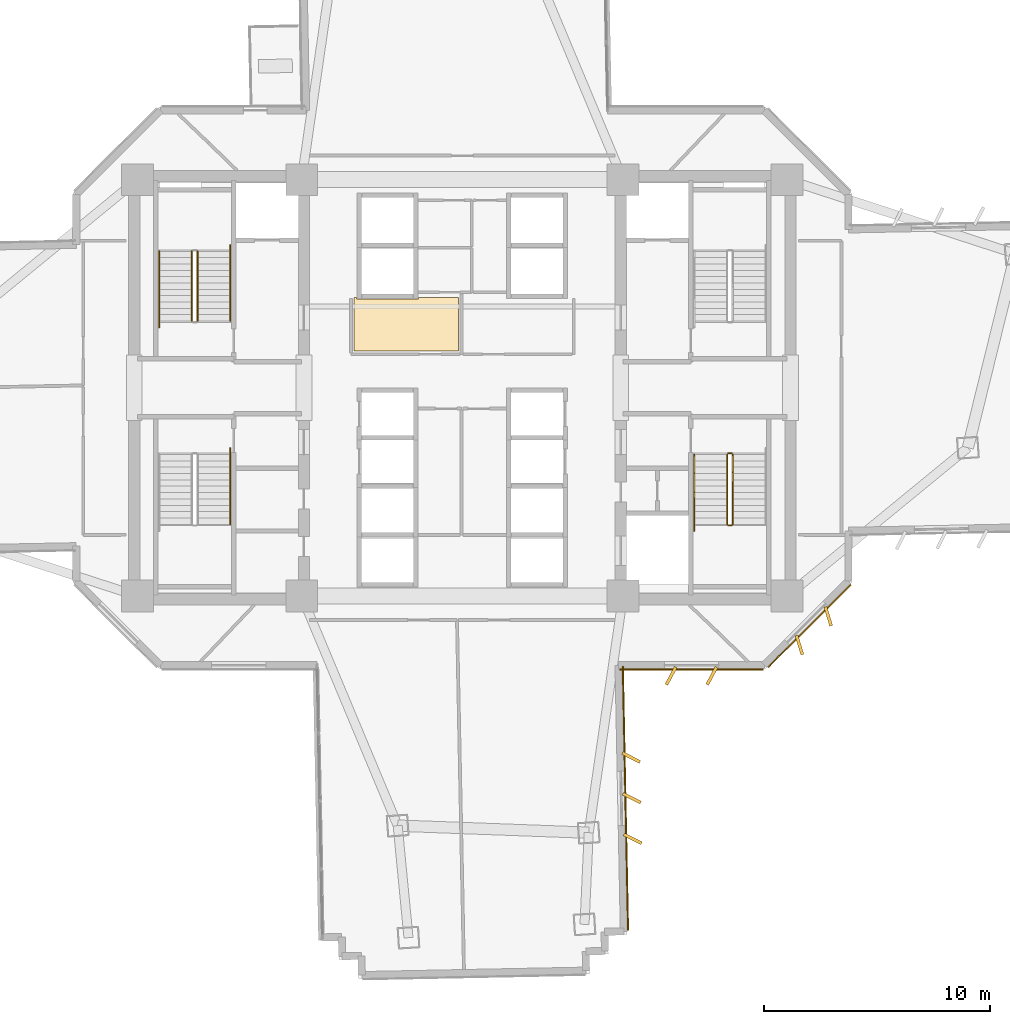
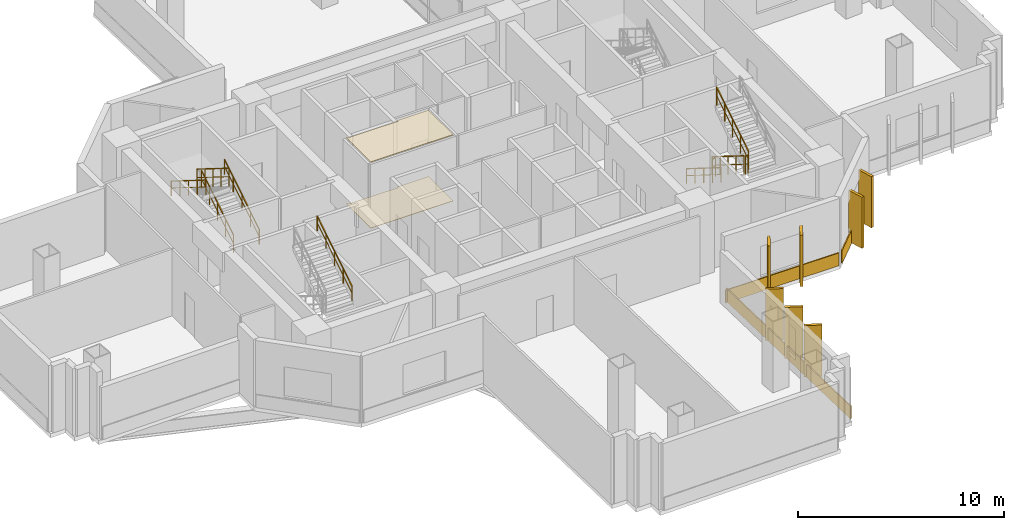
# One storey, part 12 of 15: 12 coverings, 10 railings.
"""IFC4 building model written with IfcOpenShell, lengths in metres."""

import ifcopenshell
import ifcopenshell.guid

model = None  # the IFC model being written
_history = None  # IfcOwnerHistory: only IFC2X3 demands one
_inside = {}  # id of a spatial element -> (the spatial element, [elements in it])
_under = {}  # id of a project, library or spatial element -> (it, [spatial elements below it])
_declared = {}  # id of a project -> (the project, [libraries it declares])
_typed = {}  # id of a type object -> (the type object, [elements of that type])
_made_of = {}  # id of a material, layer set ... -> (it, [elements and type objects made of it])


def new_model(schema):
    """Start an empty IFC model of exactly this schema.

    Asked for "IFC4X3", IfcOpenShell would pick the latest addendum, in which some entities
    have other attributes; the version numbers below select the first issue.
    IFC2X3 requires an IfcOwnerHistory on every rooted entity: one is made here for all.
    """
    global model, _history
    if schema == "IFC4X3":
        model = ifcopenshell.file(schema_version=(4, 3, 0, 0))
    else:
        model = ifcopenshell.file(schema=schema)
    _inside.clear()
    _under.clear()
    _declared.clear()
    _typed.clear()
    _made_of.clear()
    _history = None
    if model.schema == "IFC2X3":
        org = make("IfcOrganization", Name="unknown")
        user = make(
            "IfcPersonAndOrganization",
            ThePerson=make("IfcPerson", FamilyName="unknown"),
            TheOrganization=org,
        )
        app = make(
            "IfcApplication",
            ApplicationDeveloper=org,
            Version="unknown",
            ApplicationFullName="unknown",
            ApplicationIdentifier="unknown",
        )
        _history = make(
            "IfcOwnerHistory",
            OwningUser=user,
            OwningApplication=app,
            ChangeAction="ADDED",
            CreationDate=0,
        )
    return model


def make(cls, **values):
    """One entity of the class cls with the attributes given. An attribute that is None is left unset."""
    return model.create_entity(
        cls, **{name: value for name, value in values.items() if value is not None}
    )


def rooted(cls, **values):
    """An entity with a GlobalId (a new one), such as an element, a storey or a relation."""
    return make(cls, GlobalId=ifcopenshell.guid.new(), OwnerHistory=_history, **values)


def si_unit(unit_type, name, prefix=None):
    """IfcSIUnit, for example si_unit("LENGTHUNIT", "METRE", prefix="MILLI")."""
    return make("IfcSIUnit", UnitType=unit_type, Prefix=prefix, Name=name)


def assignment(units):
    """IfcUnitAssignment: the units of a project."""
    return None if units is None else make("IfcUnitAssignment", Units=units)


def point(xyz):
    """IfcCartesianPoint."""
    return None if xyz is None else make("IfcCartesianPoint", Coordinates=xyz)


def direction(xyz):
    """IfcDirection."""
    return None if xyz is None else make("IfcDirection", DirectionRatios=xyz)


def frame(location, z_axis=None, x_axis=None):
    """IfcAxis2Placement3D, a coordinate frame: its origin and axes. An axis left out is left unset."""
    return make(
        "IfcAxis2Placement3D",
        Location=point(location),
        Axis=direction(z_axis),
        RefDirection=direction(x_axis),
    )


def frame_2d(location, x_axis=None):
    """IfcAxis2Placement2D, a coordinate frame in the plane: its origin and x axis."""
    return make(
        "IfcAxis2Placement2D", Location=point(location), RefDirection=direction(x_axis)
    )


def origin():
    """The frame at (0, 0, 0) with its axes left unset."""
    return frame((0.0, 0.0, 0.0))


def origin_2d():
    """The frame at (0, 0) in the plane with its x axis left unset."""
    return frame_2d((0.0, 0.0))


def place(relative_to, where):
    """IfcLocalPlacement: puts the frame where relative to a parent placement (None: the world)."""
    return make(
        "IfcLocalPlacement", PlacementRelTo=relative_to, RelativePlacement=where
    )


def context(
    kind, dimensions, precision=None, world=None, true_north=None, identifier=None
):
    """IfcGeometricRepresentationContext, for example the 3D "Model" context."""
    return make(
        "IfcGeometricRepresentationContext",
        ContextIdentifier=identifier,
        ContextType=kind,
        CoordinateSpaceDimension=dimensions,
        Precision=precision,
        WorldCoordinateSystem=world,
        TrueNorth=true_north,
    )


def subcontext(parent, identifier, kind, view, scale=None):
    """IfcGeometricRepresentationSubContext, for example "Body" below "Model"."""
    return make(
        "IfcGeometricRepresentationSubContext",
        ContextIdentifier=identifier,
        ContextType=kind,
        ParentContext=parent,
        TargetScale=scale,
        TargetView=view,
    )


def project(units=None, contexts=None):
    """IfcProject with its units and contexts."""
    return rooted(
        "IfcProject",
        Name="project",
        RepresentationContexts=contexts,
        UnitsInContext=assignment(units),
    )


def spatial(cls, under=None, at=None, **own):
    """A site, building, storey or space (cls), placed at a placement, below another one or the project."""
    s = rooted(cls, ObjectPlacement=at, **own)
    if under is not None:
        _under.setdefault(under.id(), (under, []))[1].append(s)
    return s


def polyline(points):
    """IfcPolyline through the points."""
    return make("IfcPolyline", Points=[point(p) for p in points])


def profile(cls, at=None, kind="AREA", **sizes):
    """A parametric profile (cls). Its sizes go by their IFC names, for example OverallWidth=200.0."""
    return make(cls, ProfileType=kind, Position=at, **sizes)


def rectangle(**sizes):
    """IfcRectangleProfileDef."""
    return profile("IfcRectangleProfileDef", **sizes)


def outline(outer, holes=None, kind="AREA"):
    """IfcArbitraryClosedProfileDef: a profile drawn as a closed curve; with holes, ...WithVoids."""
    if holes is None:
        return make("IfcArbitraryClosedProfileDef", ProfileType=kind, OuterCurve=outer)
    return make(
        "IfcArbitraryProfileDefWithVoids",
        ProfileType=kind,
        OuterCurve=outer,
        InnerCurves=holes,
    )


def extrude(swept, where, along, depth):
    """IfcExtrudedAreaSolid: the profile swept, set in the frame where, extruded along a direction by depth."""
    return make(
        "IfcExtrudedAreaSolid",
        SweptArea=swept,
        Position=where,
        ExtrudedDirection=direction(along),
        Depth=depth,
    )


def shape(context_of_items, identifier, shape_type, items):
    """IfcShapeRepresentation: the items that make up one representation, for example the "Body"."""
    return make(
        "IfcShapeRepresentation",
        ContextOfItems=context_of_items,
        RepresentationIdentifier=identifier,
        RepresentationType=shape_type,
        Items=items,
    )


def source(mapping_origin, context_of_items, identifier, shape_type, items):
    """IfcRepresentationMap: a shape defined once, which mapped items show again and again."""
    return make(
        "IfcRepresentationMap",
        MappingOrigin=mapping_origin,
        MappedRepresentation=shape(context_of_items, identifier, shape_type, items),
    )


def transform(
    local_origin,
    x_axis=None,
    y_axis=None,
    z_axis=None,
    scale=None,
    scale2=None,
    scale3=None,
    uniform=True,
):
    """IfcCartesianTransformationOperator3D, or its non-uniform kind. x_axis, y_axis, z_axis: its Axis1, 2, 3."""
    if uniform:
        return make(
            "IfcCartesianTransformationOperator3D",
            Axis1=direction(x_axis),
            Axis2=direction(y_axis),
            LocalOrigin=point(local_origin),
            Scale=scale,
            Axis3=direction(z_axis),
        )
    return make(
        "IfcCartesianTransformationOperator3DnonUniform",
        Axis1=direction(x_axis),
        Axis2=direction(y_axis),
        LocalOrigin=point(local_origin),
        Scale=scale,
        Axis3=direction(z_axis),
        Scale2=scale2,
        Scale3=scale3,
    )


def mapped(mapping_source, mapping_target):
    """IfcMappedItem: shows the shape of a source again, moved by a transform."""
    return make(
        "IfcMappedItem", MappingSource=mapping_source, MappingTarget=mapping_target
    )


def material(Name=None, Category=None):
    """IfcMaterial."""
    return make("IfcMaterial", Name=Name, Category=Category)


def layer(
    of_material, thickness, ventilated=None, Name=None, Category=None, Priority=None
):
    """IfcMaterialLayer: one layer of a wall or slab, of a material (None: an air gap)."""
    return make(
        "IfcMaterialLayer",
        Material=of_material,
        LayerThickness=thickness,
        IsVentilated=ventilated,
        Name=Name,
        Category=Category,
        Priority=Priority,
    )


def layer_set(layers, Name=None):
    """IfcMaterialLayerSet."""
    return make("IfcMaterialLayerSet", MaterialLayers=layers, LayerSetName=Name)


def made_of(thing, what):
    """Note that an element or type object is made of a material, layer set ...; save() writes the relation."""
    if what is not None:
        _made_of.setdefault(what.id(), (what, []))[1].append(thing)
    return thing


def type_object(cls, material=None, **own):
    """A type object (cls), such as IfcWallType, which elements share."""
    return made_of(rooted(cls, **own), material)


def element(
    cls,
    number,
    at=None,
    inside=None,
    cuts=None,
    type_object=None,
    material=None,
    context=None,
    identifier="Body",
    shape_type=None,
    held_by="IfcProductDefinitionShape",
    body=None,
    shapes=None,
    **own,
):
    """One element of the class cls, such as IfcWall. Its Tag is "e" and its number.

    at: its placement. inside: the storey or other place that contains it. cuts: it is an
    opening in that element (IfcRelVoidsElement). A single representation is given by context,
    identifier, shape_type and body (its items); several are given by shapes. held_by: the class
    of the entity that holds the representations. save() writes the other relations.
    """
    e = rooted(cls, Tag="e%d" % number, ObjectPlacement=at, **own)
    if body is not None:
        shapes = [shape(context, identifier, shape_type, body)]
    if shapes is not None:
        e.Representation = make(held_by, Representations=shapes)
    if inside is not None:
        _inside.setdefault(inside.id(), (inside, []))[1].append(e)
    if cuts is not None:
        rooted(
            "IfcRelVoidsElement", RelatingBuildingElement=cuts, RelatedOpeningElement=e
        )
    if type_object is not None:
        _typed.setdefault(type_object.id(), (type_object, []))[1].append(e)
    return made_of(e, material)


def aggregate(whole, parts):
    """IfcRelAggregates: a whole, such as a stair, and the parts it consists of."""
    return rooted("IfcRelAggregates", RelatingObject=whole, RelatedObjects=parts)


def save(model, path):
    """Write the relations noted so far, then the file.

    IfcRelAggregates (storeys below a building ...), IfcRelContainedInSpatialStructure (elements
    in a storey), IfcRelDefinesByType, IfcRelAssociatesMaterial and IfcRelDeclares: one each for
    every whole, place, type object, material and project.
    """
    for whole, parts in _under.values():
        aggregate(whole, parts)
    for where, things in _inside.values():
        rooted(
            "IfcRelContainedInSpatialStructure",
            RelatedElements=things,
            RelatingStructure=where,
        )
    for kind, things in _typed.values():
        rooted("IfcRelDefinesByType", RelatedObjects=things, RelatingType=kind)
    for what, things in _made_of.values():
        rooted("IfcRelAssociatesMaterial", RelatedObjects=things, RelatingMaterial=what)
    for by, libraries in _declared.values():
        rooted("IfcRelDeclares", RelatingContext=by, RelatedDefinitions=libraries)
    model.write(path)


model = new_model("IFC4")

# Units and contexts
model_context = context("Model", 3, precision=1e-05, world=origin(), true_north=direction((0.0, 1.0)))
body_context = subcontext(model_context, "Body", "Model", "MODEL_VIEW")
ifc_project = project(units=[si_unit("LENGTHUNIT", "METRE"), si_unit("AREAUNIT", "SQUARE_METRE"), si_unit("VOLUMEUNIT", "CUBIC_METRE"), si_unit("PLANEANGLEUNIT", "RADIAN"), si_unit("MASSUNIT", "GRAM", prefix="KILO")], contexts=[model_context])

# Site, building, storey
site_placement = place(None, origin())
site = spatial("IfcSite", under=ifc_project, at=site_placement, CompositionType="ELEMENT")
building_placement = place(site_placement, origin())
building = spatial("IfcBuilding", under=site, at=building_placement, Name="Zahravan Cultural Tower", CompositionType="ELEMENT")
storey_placement = place(building_placement, frame((0.0, 0.0, 41.699951171875)))
storey = spatial("IfcBuildingStorey", under=building, at=storey_placement, Name="L08", CompositionType="ELEMENT", Elevation=41.699951171875)

# Coverings
ifc_material_1 = material(Name="Acoustic mineral fibreboard")
ifc_layer_1 = layer(ifc_material_1, 0.0400390625)
ifc_layer_set_1 = layer_set([ifc_layer_1], Name="Acoustic mineral fibreboard")
covering_type_1 = type_object("IfcCoveringType", Name="COV-CEIL-AC20", PredefinedType="CEILING", material=ifc_layer_set_1)
covering_1_placement = place(storey_placement, frame((0.0, 0.0, 3.91015625)))
element("IfcCovering", 1, at=covering_1_placement, inside=storey, type_object=covering_type_1, Name="L08 Acoustic Suspended Ceiling", PredefinedType="CEILING", context=body_context, shape_type="SweptSolid", body=[
    extrude(outline(polyline([(31.219970703125, 31.0), (31.219970703125, 28.6201171875), (35.830078125, 28.6201171875), (35.830078125, 31.0), (34.070068359375, 31.0), (34.070068359375, 30.929931640625), (31.330078125, 30.929931640625), (31.330078125, 31.0), (31.219970703125, 31.0)])), origin(), (0.0, 0.0, 1.0), 0.039794921875),
])
ifc_material_2 = material(Name="Terrazzo flooring")
ifc_layer_2 = layer(ifc_material_2, 0.02490234375)
ifc_layer_set_2 = layer_set([ifc_layer_2], Name="Terrazzo flooring")
covering_type_2 = type_object("IfcCoveringType", Name="COV-FLR-TZ25", PredefinedType="FLOORING", material=ifc_layer_set_2)
covering_2_placement = place(storey_placement, origin())
element("IfcCovering", 2, at=covering_2_placement, inside=storey, type_object=covering_type_2, Name="L08 Polished Terrazzo Flooring", PredefinedType="FLOORING", context=body_context, shape_type="SweptSolid", body=[
    extrude(outline(polyline([(31.219970703125, 31.0), (31.219970703125, 28.6201171875), (35.830078125, 28.6201171875), (35.830078125, 31.0), (34.070068359375, 31.0), (34.070068359375, 30.929931640625), (31.330078125, 30.929931640625), (31.330078125, 31.0), (31.219970703125, 31.0)])), origin(), (0.0, 0.0, 1.0), 0.025146484375),
])

# Railings
ifc_material_3 = material(Name="Steel ASTM A572 Grade 50", Category="steel")
railing_type_1 = type_object("IfcRailingType", Name="RL-STAIR-GRD1150", PredefinedType="BALUSTRADE", material=ifc_material_3)
railing_1_placement = place(storey_placement, frame((24.300048828125, 29.949951171875, 0.175048828125)))
element("IfcRailing", 3, at=railing_1_placement, inside=storey, type_object=railing_type_1, Name="L08 ST-W1 stair guard 1", PredefinedType="BALUSTRADE", context=body_context, shape_type="SweptSolid", body=[
    extrude(rectangle(XDim=0.05, YDim=0.05, at=origin_2d()), frame((0.0, 0.0, 1.0751953125), z_axis=(0.0, 0.847998304005, 0.529998940003), x_axis=(-1.0, 0.0, 0.0)), (0.0, 0.0, 1.0), 3.632080078125),
    extrude(rectangle(XDim=0.032, YDim=0.032, at=origin_2d()), frame((0.0, 0.0, 0.572021484375), z_axis=(0.0, 0.847998304005, 0.529998940003), x_axis=(-1.0, 0.0, 0.0)), (0.0, 0.0, 1.0), 3.632080078125),
    extrude(rectangle(XDim=0.04, YDim=0.04, at=origin_2d()), origin(), (0.0, 0.0, 1.0), 1.10009765625),
    extrude(rectangle(XDim=0.04, YDim=0.04, at=origin_2d()), frame((0.0, 0.77001953125, 0.481201171875)), (0.0, 0.0, 1.0), 1.10009765625),
    extrude(rectangle(XDim=0.04, YDim=0.04, at=origin_2d()), frame((0.0, 1.5400390625, 0.96240234375)), (0.0, 0.0, 1.0), 1.10009765625),
    extrude(rectangle(XDim=0.04, YDim=0.04, at=origin_2d()), frame((0.0, 2.31005859375, 1.44384765625)), (0.0, 0.0, 1.0), 1.10009765625),
    extrude(rectangle(XDim=0.04, YDim=0.04, at=origin_2d()), frame((0.0, 3.080078125, 1.925048828125)), (0.0, 0.0, 1.0), 1.10009765625),
])
railing_2_placement = place(storey_placement, frame((24.050048828125, 33.030029296875, 2.275146484375)))
element("IfcRailing", 4, at=railing_2_placement, inside=storey, type_object=railing_type_1, Name="L08 ST-W1 stair guard 3", PredefinedType="BALUSTRADE", context=body_context, shape_type="SweptSolid", body=[
    extrude(rectangle(XDim=0.05, YDim=0.05, at=origin_2d()), frame((0.0, 0.0, 1.0751953125), z_axis=(0.0, -0.848028513186, 0.529950602248), x_axis=(1.0, 0.0, 0.0)), (0.0, 0.0, 1.0), 3.632080078125),
    extrude(rectangle(XDim=0.032, YDim=0.032, at=origin_2d()), frame((0.0, 0.0, 0.572021484375), z_axis=(0.0, -0.848028513186, 0.529950602248), x_axis=(1.0, 0.0, 0.0)), (0.0, 0.0, 1.0), 3.632080078125),
    extrude(rectangle(XDim=0.04, YDim=0.04, at=origin_2d()), origin(), (0.0, 0.0, 1.0), 1.10009765625),
    extrude(rectangle(XDim=0.04, YDim=0.04, at=origin_2d()), frame((0.0, -0.77001953125, 0.481201171875)), (0.0, 0.0, 1.0), 1.10009765625),
    extrude(rectangle(XDim=0.04, YDim=0.04, at=origin_2d()), frame((0.0, -1.5400390625, 0.96240234375)), (0.0, 0.0, 1.0), 1.10009765625),
    extrude(rectangle(XDim=0.04, YDim=0.04, at=origin_2d()), frame((0.0, -2.31005859375, 1.443603515625)), (0.0, 0.0, 1.0), 1.10009765625),
    extrude(rectangle(XDim=0.04, YDim=0.04, at=origin_2d()), frame((0.0, -3.080078125, 1.9248046875)), (0.0, 0.0, 1.0), 1.10009765625),
])
railing_3_placement = place(storey_placement, frame((47.699951171875, 24.050048828125, 0.175048828125)))
element("IfcRailing", 5, at=railing_3_placement, inside=storey, type_object=railing_type_1, Name="L08 ST-E2 stair guard 1", PredefinedType="BALUSTRADE", context=body_context, shape_type="SweptSolid", body=[
    extrude(rectangle(XDim=0.05, YDim=0.05, at=origin_2d()), frame((0.0, 0.0, 1.0751953125), z_axis=(0.0, -0.847998304005, 0.529998940003), x_axis=(1.0, 0.0, 0.0)), (0.0, 0.0, 1.0), 3.632080078125),
    extrude(rectangle(XDim=0.032, YDim=0.032, at=origin_2d()), frame((0.0, 0.0, 0.572021484375), z_axis=(0.0, -0.847998304005, 0.529998940003), x_axis=(1.0, 0.0, 0.0)), (0.0, 0.0, 1.0), 3.632080078125),
    extrude(rectangle(XDim=0.04, YDim=0.04, at=origin_2d()), origin(), (0.0, 0.0, 1.0), 1.10009765625),
    extrude(rectangle(XDim=0.04, YDim=0.04, at=origin_2d()), frame((0.0, -0.77001953125, 0.481201171875)), (0.0, 0.0, 1.0), 1.10009765625),
    extrude(rectangle(XDim=0.04, YDim=0.04, at=origin_2d()), frame((0.0, -1.5400390625, 0.96240234375)), (0.0, 0.0, 1.0), 1.10009765625),
    extrude(rectangle(XDim=0.04, YDim=0.04, at=origin_2d()), frame((0.0, -2.31005859375, 1.44384765625)), (0.0, 0.0, 1.0), 1.10009765625),
    extrude(rectangle(XDim=0.04, YDim=0.04, at=origin_2d()), frame((0.0, -3.080078125, 1.925048828125)), (0.0, 0.0, 1.0), 1.10009765625),
])
railing_4_placement = place(storey_placement, frame((47.75, 20.919921875, 2.10009765625)))
element("IfcRailing", 6, at=railing_4_placement, inside=storey, type_object=railing_type_1, Name="L08 ST-E2 stair guard 2", PredefinedType="BALUSTRADE", context=body_context, shape_type="SweptSolid", body=[
    extrude(rectangle(XDim=0.05, YDim=0.05, at=origin_2d()), frame((0.0, 0.0, 1.0751953125), z_axis=(1.0, 0.0, 0.0), x_axis=(0.0, 1.0, 0.0)), (0.0, 0.0, 1.0), 0.14990234375),
    extrude(rectangle(XDim=0.032, YDim=0.032, at=origin_2d()), frame((0.0, 0.0, 0.572021484375), z_axis=(1.0, 0.0, 0.0), x_axis=(0.0, 1.0, 0.0)), (0.0, 0.0, 1.0), 0.14990234375),
    extrude(rectangle(XDim=0.04, YDim=0.04, at=origin_2d()), origin(), (0.0, 0.0, 1.0), 1.10009765625),
    extrude(rectangle(XDim=0.04, YDim=0.04, at=origin_2d()), frame((0.14990234375, 0.0, 0.0)), (0.0, 0.0, 1.0), 1.10009765625),
])
railing_5_placement = place(storey_placement, frame((47.949951171875, 20.969970703125, 2.275146484375)))
element("IfcRailing", 7, at=railing_5_placement, inside=storey, type_object=railing_type_1, Name="L08 ST-E2 stair guard 3", PredefinedType="BALUSTRADE", context=body_context, shape_type="SweptSolid", body=[
    extrude(rectangle(XDim=0.05, YDim=0.05, at=origin_2d()), frame((0.0, 0.0, 1.0751953125), z_axis=(0.0, 0.848028513186, 0.529950602248), x_axis=(-1.0, 0.0, 0.0)), (0.0, 0.0, 1.0), 3.632080078125),
    extrude(rectangle(XDim=0.032, YDim=0.032, at=origin_2d()), frame((0.0, 0.0, 0.572021484375), z_axis=(0.0, 0.848028513186, 0.529950602248), x_axis=(-1.0, 0.0, 0.0)), (0.0, 0.0, 1.0), 3.632080078125),
    extrude(rectangle(XDim=0.04, YDim=0.04, at=origin_2d()), origin(), (0.0, 0.0, 1.0), 1.10009765625),
    extrude(rectangle(XDim=0.04, YDim=0.04, at=origin_2d()), frame((0.0, 0.77001953125, 0.481201171875)), (0.0, 0.0, 1.0), 1.10009765625),
    extrude(rectangle(XDim=0.04, YDim=0.04, at=origin_2d()), frame((0.0, 1.5400390625, 0.96240234375)), (0.0, 0.0, 1.0), 1.10009765625),
    extrude(rectangle(XDim=0.04, YDim=0.04, at=origin_2d()), frame((0.0, 2.31005859375, 1.443603515625)), (0.0, 0.0, 1.0), 1.10009765625),
    extrude(rectangle(XDim=0.04, YDim=0.04, at=origin_2d()), frame((0.0, 3.080078125, 1.9248046875)), (0.0, 0.0, 1.0), 1.10009765625),
])
railing_6_placement = place(storey_placement, frame((47.75, 24.10009765625, 0.0)))
element("IfcRailing", 8, at=railing_6_placement, inside=storey, type_object=railing_type_1, Name="L08 ST-E2 stair guard 4", PredefinedType="BALUSTRADE", context=body_context, shape_type="SweptSolid", body=[
    extrude(rectangle(XDim=0.05, YDim=0.05, at=origin_2d()), frame((0.0, 0.0, 1.0751953125), z_axis=(1.0, 0.0, 0.0), x_axis=(0.0, 1.0, 0.0)), (0.0, 0.0, 1.0), 0.14990234375),
    extrude(rectangle(XDim=0.032, YDim=0.032, at=origin_2d()), frame((0.0, 0.0, 0.572021484375), z_axis=(1.0, 0.0, 0.0), x_axis=(0.0, 1.0, 0.0)), (0.0, 0.0, 1.0), 0.14990234375),
    extrude(rectangle(XDim=0.04, YDim=0.04, at=origin_2d()), origin(), (0.0, 0.0, 1.0), 1.10009765625),
    extrude(rectangle(XDim=0.04, YDim=0.04, at=origin_2d()), frame((0.14990234375, 0.0, 0.0)), (0.0, 0.0, 1.0), 1.10009765625),
])
railing_type_2 = type_object("IfcRailingType", Name="RL-STAIR-HR900", PredefinedType="HANDRAIL", material=ifc_material_3)
railing_7_placement = place(storey_placement, frame((25.75, 29.949951171875, 0.175048828125)))
element("IfcRailing", 9, at=railing_7_placement, inside=storey, type_object=railing_type_2, Name="L08 ST-W1 stair handrail 1", PredefinedType="HANDRAIL", context=body_context, shape_type="SweptSolid", body=[
    extrude(rectangle(XDim=0.05, YDim=0.05, at=origin_2d()), frame((0.0, 0.0, 0.875), z_axis=(0.0, 0.847994842521, 0.530004478338), x_axis=(-1.0, 0.0, 0.0)), (0.0, 0.0, 1.0), 3.96240234375),
    extrude(rectangle(XDim=0.032, YDim=0.032, at=origin_2d()), frame((0.0, 0.0, 0.468017578125), z_axis=(0.0, 0.847994842521, 0.530004478338), x_axis=(-1.0, 0.0, 0.0)), (0.0, 0.0, 1.0), 3.96240234375),
    extrude(rectangle(XDim=0.04, YDim=0.04, at=origin_2d()), origin(), (0.0, 0.0, 1.0), 0.89990234375),
    extrude(rectangle(XDim=0.04, YDim=0.04, at=origin_2d()), frame((0.0, 0.840087890625, 0.52490234375)), (0.0, 0.0, 1.0), 0.89990234375),
    extrude(rectangle(XDim=0.04, YDim=0.04, at=origin_2d()), frame((0.0, 1.68017578125, 1.050048828125)), (0.0, 0.0, 1.0), 0.89990234375),
    extrude(rectangle(XDim=0.04, YDim=0.04, at=origin_2d()), frame((0.0, 2.52001953125, 1.5751953125)), (0.0, 0.0, 1.0), 0.89990234375),
    extrude(rectangle(XDim=0.04, YDim=0.04, at=origin_2d()), frame((0.0, 3.360107421875, 2.10009765625)), (0.0, 0.0, 1.0), 0.89990234375),
])
railing_8_placement = place(storey_placement, frame((22.60009765625, 33.030029296875, 2.275146484375)))
element("IfcRailing", 10, at=railing_8_placement, inside=storey, type_object=railing_type_2, Name="L08 ST-W1 stair handrail 2", PredefinedType="HANDRAIL", context=body_context, shape_type="SweptSolid", body=[
    extrude(rectangle(XDim=0.05, YDim=0.05, at=origin_2d()), frame((0.0, 0.0, 0.875), z_axis=(0.0, -0.848022534174, 0.529960169762), x_axis=(1.0, 0.0, 0.0)), (0.0, 0.0, 1.0), 3.96240234375),
    extrude(rectangle(XDim=0.032, YDim=0.032, at=origin_2d()), frame((0.0, 0.0, 0.468017578125), z_axis=(0.0, -0.848022534174, 0.529960169762), x_axis=(1.0, 0.0, 0.0)), (0.0, 0.0, 1.0), 3.96240234375),
    extrude(rectangle(XDim=0.04, YDim=0.04, at=origin_2d()), origin(), (0.0, 0.0, 1.0), 0.89990234375),
    extrude(rectangle(XDim=0.04, YDim=0.04, at=origin_2d()), frame((0.0, -0.840087890625, 0.52490234375)), (0.0, 0.0, 1.0), 0.89990234375),
    extrude(rectangle(XDim=0.04, YDim=0.04, at=origin_2d()), frame((0.0, -1.68017578125, 1.0498046875)), (0.0, 0.0, 1.0), 0.89990234375),
    extrude(rectangle(XDim=0.04, YDim=0.04, at=origin_2d()), frame((0.0, -2.52001953125, 1.574951171875)), (0.0, 0.0, 1.0), 0.89990234375),
    extrude(rectangle(XDim=0.04, YDim=0.04, at=origin_2d()), frame((0.0, -3.360107421875, 2.099853515625)), (0.0, 0.0, 1.0), 0.89990234375),
])
railing_9_placement = place(storey_placement, frame((25.75, 20.969970703125, 2.275146484375)))
element("IfcRailing", 11, at=railing_9_placement, inside=storey, type_object=railing_type_2, Name="L08 ST-W2 stair handrail 2", PredefinedType="HANDRAIL", context=body_context, shape_type="SweptSolid", body=[
    extrude(rectangle(XDim=0.05, YDim=0.05, at=origin_2d()), frame((0.0, 0.0, 0.875), z_axis=(0.0, 0.848022534174, 0.529960169762), x_axis=(-1.0, 0.0, 0.0)), (0.0, 0.0, 1.0), 3.96240234375),
    extrude(rectangle(XDim=0.032, YDim=0.032, at=origin_2d()), frame((0.0, 0.0, 0.468017578125), z_axis=(0.0, 0.848022534174, 0.529960169762), x_axis=(-1.0, 0.0, 0.0)), (0.0, 0.0, 1.0), 3.96240234375),
    extrude(rectangle(XDim=0.04, YDim=0.04, at=origin_2d()), origin(), (0.0, 0.0, 1.0), 0.89990234375),
    extrude(rectangle(XDim=0.04, YDim=0.04, at=origin_2d()), frame((0.0, 0.840087890625, 0.52490234375)), (0.0, 0.0, 1.0), 0.89990234375),
    extrude(rectangle(XDim=0.04, YDim=0.04, at=origin_2d()), frame((0.0, 1.68017578125, 1.0498046875)), (0.0, 0.0, 1.0), 0.89990234375),
    extrude(rectangle(XDim=0.04, YDim=0.04, at=origin_2d()), frame((0.0, 2.52001953125, 1.574951171875)), (0.0, 0.0, 1.0), 0.89990234375),
    extrude(rectangle(XDim=0.04, YDim=0.04, at=origin_2d()), frame((0.0, 3.360107421875, 2.099853515625)), (0.0, 0.0, 1.0), 0.89990234375),
])
railing_10_placement = place(storey_placement, frame((46.25, 24.050048828125, 0.175048828125)))
element("IfcRailing", 12, at=railing_10_placement, inside=storey, type_object=railing_type_2, Name="L08 ST-E2 stair handrail 1", PredefinedType="HANDRAIL", context=body_context, shape_type="SweptSolid", body=[
    extrude(rectangle(XDim=0.05, YDim=0.05, at=origin_2d()), frame((0.0, 0.0, 0.875), z_axis=(0.0, -0.847994842521, 0.530004478338), x_axis=(1.0, 0.0, 0.0)), (0.0, 0.0, 1.0), 3.96240234375),
    extrude(rectangle(XDim=0.032, YDim=0.032, at=origin_2d()), frame((0.0, 0.0, 0.468017578125), z_axis=(0.0, -0.847994842521, 0.530004478338), x_axis=(1.0, 0.0, 0.0)), (0.0, 0.0, 1.0), 3.96240234375),
    extrude(rectangle(XDim=0.04, YDim=0.04, at=origin_2d()), origin(), (0.0, 0.0, 1.0), 0.89990234375),
    extrude(rectangle(XDim=0.04, YDim=0.04, at=origin_2d()), frame((0.0, -0.840087890625, 0.52490234375)), (0.0, 0.0, 1.0), 0.89990234375),
    extrude(rectangle(XDim=0.04, YDim=0.04, at=origin_2d()), frame((0.0, -1.68017578125, 1.050048828125)), (0.0, 0.0, 1.0), 0.89990234375),
    extrude(rectangle(XDim=0.04, YDim=0.04, at=origin_2d()), frame((0.0, -2.52001953125, 1.5751953125)), (0.0, 0.0, 1.0), 0.89990234375),
    extrude(rectangle(XDim=0.04, YDim=0.04, at=origin_2d()), frame((0.0, -3.360107421875, 2.10009765625)), (0.0, 0.0, 1.0), 0.89990234375),
])

# Coverings
ifc_material_4 = material(Name="Terracotta ceramic cladding", Category="masonry")
ifc_layer_3 = layer(ifc_material_4, 0.06005859375)
ifc_layer_set_3 = layer_set([ifc_layer_3], Name="Terracotta ceramic cladding")
covering_type_3 = type_object("IfcCoveringType", Name="COV-CLAD-TC60", PredefinedType="CLADDING", material=ifc_layer_set_3)
shared_shape_1 = source(origin(), body_context, "Body", "SweptSolid", [
    extrude(rectangle(XDim=5.157958984375, YDim=0.06005859375, at=origin_2d()), origin(), (0.0, 0.0, 1.0), 0.760009765625),
])
covering_3_placement = place(storey_placement, frame((51.331787109375, 16.46826171875, 0.02001953125), z_axis=(0.0, 0.0, 1.0), x_axis=(-0.707106781187, -0.707106781187, 0.0)))
element("IfcCovering", 13, at=covering_3_placement, inside=storey, type_object=covering_type_3, Name="L08 Terracotta Spandrel Cladding 13", PredefinedType="CLADDING", context=body_context, shape_type="MappedRepresentation", body=[
    mapped(shared_shape_1, transform((0.0, 0.0, 0.0), x_axis=(1.0, 0.0, 0.0), y_axis=(0.0, 1.0, 0.0), z_axis=(0.0, 0.0, 1.0), scale=1.0)),
])
shared_shape_2 = source(origin(), body_context, "Body", "SweptSolid", [
    extrude(rectangle(XDim=0.8798828125, YDim=0.139892578125, at=origin_2d()), origin(), (0.0, 0.0, 1.0), 3.030029296875),
])
for number, where, z_axis, x_axis, name in (
    (14, (52.169677734375, 16.903076171875, 0.0498046875), (0.0, 0.0, 1.0), (0.292371704723, -0.956304755963, 0.0), "L08 Herringbone Terracotta Fin 10"),
    (15, (50.89697265625, 15.63037109375, 0.0498046875), (0.0, 0.0, 1.0), (0.292371704723, -0.956304755963, 0.0), "L08 Herringbone Terracotta Fin 11"),
    (16, (47.023681640625, 14.27001953125, 0.0498046875), (0.0, 0.0, 1.0), (-0.469471562786, -0.882947592859, 0.0), "L08 Herringbone Terracotta Fin 12"),
    (17, (45.2236328125, 14.27001953125, 0.0498046875), (0.0, 0.0, 1.0), (-0.469471562786, -0.882947592859, 0.0), "L08 Herringbone Terracotta Fin 13"),
    (18, (43.456298828125, 10.66748046875, 0.0498046875), (0.0, 0.0, 1.0), (0.892113171267, -0.451812006981, 0.0), "L08 Herringbone Terracotta Fin 14"),
    (19, (43.4921875, 8.867919921875, 0.0498046875), (0.0, 0.0, 1.0), (0.892113171267, -0.451812006981, 0.0), "L08 Herringbone Terracotta Fin 15"),
    (20, (43.528076171875, 7.068359375, 0.0498046875), (0.0, 0.0, 1.0), (0.892113171267, -0.451812006981, 0.0), "L08 Herringbone Terracotta Fin 16"),
):
    element("IfcCovering", number, at=place(storey_placement, frame(where, z_axis=z_axis, x_axis=x_axis)), inside=storey, type_object=covering_type_3, Name=name, PredefinedType="CLADDING", context=body_context, shape_type="MappedRepresentation", body=[
        mapped(shared_shape_2, transform((0.0, 0.0, 0.0), x_axis=(1.0, 0.0, 0.0), y_axis=(0.0, 1.0, 0.0), z_axis=(0.0, 0.0, 1.0), scale=1.0)),
    ])
shared_shape_3 = source(origin(), body_context, "Body", "SweptSolid", [
    extrude(rectangle(XDim=6.336669921875, YDim=0.06005859375, at=origin_2d()), origin(), (0.0, 0.0, 1.0), 0.760009765625),
])
covering_4_placement = place(storey_placement, frame((46.12353515625, 14.554931640625, 0.02001953125), z_axis=(0.0, 0.0, 1.0), x_axis=(-1.0, 0.0, 0.0)))
element("IfcCovering", 21, at=covering_4_placement, inside=storey, type_object=covering_type_3, Name="L08 Terracotta Spandrel Cladding 14", PredefinedType="CLADDING", context=body_context, shape_type="MappedRepresentation", body=[
    mapped(shared_shape_3, transform((0.0, 0.0, 0.0), x_axis=(1.0, 0.0, 0.0), y_axis=(0.0, 1.0, 0.0), z_axis=(0.0, 0.0, 1.0), scale=1.0)),
])
shared_shape_4 = source(origin(), body_context, "Body", "SweptSolid", [
    extrude(rectangle(XDim=11.6650390625, YDim=0.06005859375, at=origin_2d()), origin(), (0.0, 0.0, 1.0), 0.760009765625),
])
covering_5_placement = place(storey_placement, frame((43.207275390625, 8.8623046875, 0.02001953125), z_axis=(0.0, 0.0, 1.0), x_axis=(0.019895440708, -0.999802066131, 0.0)))
element("IfcCovering", 22, at=covering_5_placement, inside=storey, type_object=covering_type_3, Name="L08 Terracotta Spandrel Cladding 15", PredefinedType="CLADDING", context=body_context, shape_type="MappedRepresentation", body=[
    mapped(shared_shape_4, transform((0.0, 0.0, 0.0), x_axis=(1.0, 0.0, 0.0), y_axis=(0.0, 1.0, 0.0), z_axis=(0.0, 0.0, 1.0), scale=1.0)),
])

save(model, "model.ifc")
